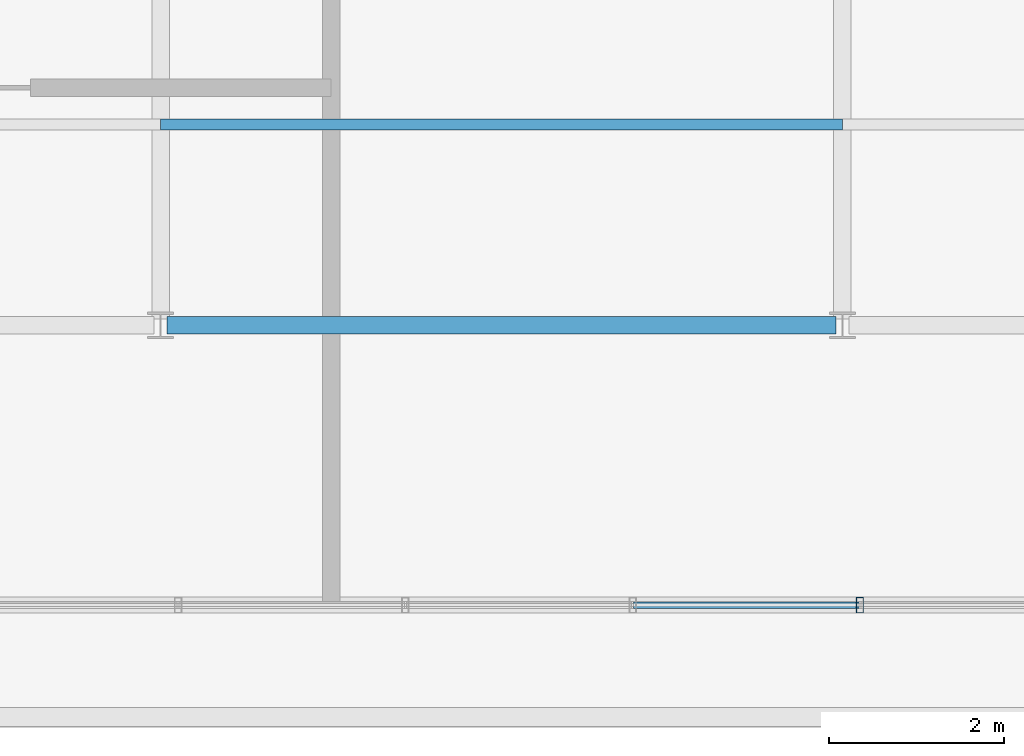
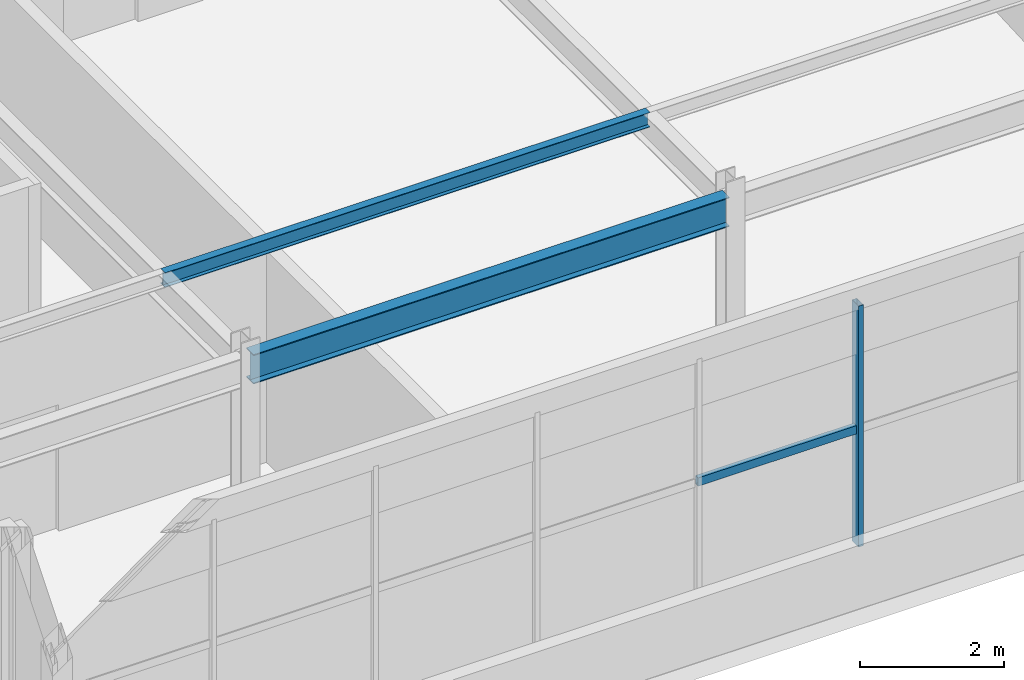
# One storey, part 4 of 37: 3 members, 1 beam, 1 element without a shape of its own.
"""IFC4 building model written with IfcOpenShell, lengths in metres."""

import ifcopenshell
import ifcopenshell.guid

model = None  # the IFC model being written
_history = None  # IfcOwnerHistory: only IFC2X3 demands one
_inside = {}  # id of a spatial element -> (the spatial element, [elements in it])
_under = {}  # id of a project, library or spatial element -> (it, [spatial elements below it])
_declared = {}  # id of a project -> (the project, [libraries it declares])
_typed = {}  # id of a type object -> (the type object, [elements of that type])
_made_of = {}  # id of a material, layer set ... -> (it, [elements and type objects made of it])


def new_model(schema):
    """Start an empty IFC model of exactly this schema.

    Asked for "IFC4X3", IfcOpenShell would pick the latest addendum, in which some entities
    have other attributes; the version numbers below select the first issue.
    IFC2X3 requires an IfcOwnerHistory on every rooted entity: one is made here for all.
    """
    global model, _history
    if schema == "IFC4X3":
        model = ifcopenshell.file(schema_version=(4, 3, 0, 0))
    else:
        model = ifcopenshell.file(schema=schema)
    _inside.clear()
    _under.clear()
    _declared.clear()
    _typed.clear()
    _made_of.clear()
    _history = None
    if model.schema == "IFC2X3":
        org = make("IfcOrganization", Name="unknown")
        user = make(
            "IfcPersonAndOrganization",
            ThePerson=make("IfcPerson", FamilyName="unknown"),
            TheOrganization=org,
        )
        app = make(
            "IfcApplication",
            ApplicationDeveloper=org,
            Version="unknown",
            ApplicationFullName="unknown",
            ApplicationIdentifier="unknown",
        )
        _history = make(
            "IfcOwnerHistory",
            OwningUser=user,
            OwningApplication=app,
            ChangeAction="ADDED",
            CreationDate=0,
        )
    return model


def make(cls, **values):
    """One entity of the class cls with the attributes given. An attribute that is None is left unset."""
    return model.create_entity(
        cls, **{name: value for name, value in values.items() if value is not None}
    )


def rooted(cls, **values):
    """An entity with a GlobalId (a new one), such as an element, a storey or a relation."""
    return make(cls, GlobalId=ifcopenshell.guid.new(), OwnerHistory=_history, **values)


def si_unit(unit_type, name, prefix=None):
    """IfcSIUnit, for example si_unit("LENGTHUNIT", "METRE", prefix="MILLI")."""
    return make("IfcSIUnit", UnitType=unit_type, Prefix=prefix, Name=name)


def assignment(units):
    """IfcUnitAssignment: the units of a project."""
    return None if units is None else make("IfcUnitAssignment", Units=units)


def point(xyz):
    """IfcCartesianPoint."""
    return None if xyz is None else make("IfcCartesianPoint", Coordinates=xyz)


def direction(xyz):
    """IfcDirection."""
    return None if xyz is None else make("IfcDirection", DirectionRatios=xyz)


def frame(location, z_axis=None, x_axis=None):
    """IfcAxis2Placement3D, a coordinate frame: its origin and axes. An axis left out is left unset."""
    return make(
        "IfcAxis2Placement3D",
        Location=point(location),
        Axis=direction(z_axis),
        RefDirection=direction(x_axis),
    )


def frame_2d(location, x_axis=None):
    """IfcAxis2Placement2D, a coordinate frame in the plane: its origin and x axis."""
    return make(
        "IfcAxis2Placement2D", Location=point(location), RefDirection=direction(x_axis)
    )


def origin():
    """The frame at (0, 0, 0) with its axes left unset."""
    return frame((0.0, 0.0, 0.0))


def origin_2d():
    """The frame at (0, 0) in the plane with its x axis left unset."""
    return frame_2d((0.0, 0.0))


def place(relative_to, where):
    """IfcLocalPlacement: puts the frame where relative to a parent placement (None: the world)."""
    return make(
        "IfcLocalPlacement", PlacementRelTo=relative_to, RelativePlacement=where
    )


def context(
    kind, dimensions, precision=None, world=None, true_north=None, identifier=None
):
    """IfcGeometricRepresentationContext, for example the 3D "Model" context."""
    return make(
        "IfcGeometricRepresentationContext",
        ContextIdentifier=identifier,
        ContextType=kind,
        CoordinateSpaceDimension=dimensions,
        Precision=precision,
        WorldCoordinateSystem=world,
        TrueNorth=true_north,
    )


def subcontext(parent, identifier, kind, view, scale=None):
    """IfcGeometricRepresentationSubContext, for example "Body" below "Model"."""
    return make(
        "IfcGeometricRepresentationSubContext",
        ContextIdentifier=identifier,
        ContextType=kind,
        ParentContext=parent,
        TargetScale=scale,
        TargetView=view,
    )


def project(units=None, contexts=None):
    """IfcProject with its units and contexts."""
    return rooted(
        "IfcProject",
        Name="project",
        RepresentationContexts=contexts,
        UnitsInContext=assignment(units),
    )


def spatial(cls, under=None, at=None, **own):
    """A site, building, storey or space (cls), placed at a placement, below another one or the project."""
    s = rooted(cls, ObjectPlacement=at, **own)
    if under is not None:
        _under.setdefault(under.id(), (under, []))[1].append(s)
    return s


def profile(cls, at=None, kind="AREA", **sizes):
    """A parametric profile (cls). Its sizes go by their IFC names, for example OverallWidth=200.0."""
    return make(cls, ProfileType=kind, Position=at, **sizes)


def hollow_rectangle(**sizes):
    """IfcRectangleHollowProfileDef."""
    return profile("IfcRectangleHollowProfileDef", **sizes)


def i_section(**sizes):
    """IfcIShapeProfileDef."""
    return profile("IfcIShapeProfileDef", **sizes)


def extrude(swept, where, along, depth):
    """IfcExtrudedAreaSolid: the profile swept, set in the frame where, extruded along a direction by depth."""
    return make(
        "IfcExtrudedAreaSolid",
        SweptArea=swept,
        Position=where,
        ExtrudedDirection=direction(along),
        Depth=depth,
    )


def shape(context_of_items, identifier, shape_type, items):
    """IfcShapeRepresentation: the items that make up one representation, for example the "Body"."""
    return make(
        "IfcShapeRepresentation",
        ContextOfItems=context_of_items,
        RepresentationIdentifier=identifier,
        RepresentationType=shape_type,
        Items=items,
    )


def source(mapping_origin, context_of_items, identifier, shape_type, items):
    """IfcRepresentationMap: a shape defined once, which mapped items show again and again."""
    return make(
        "IfcRepresentationMap",
        MappingOrigin=mapping_origin,
        MappedRepresentation=shape(context_of_items, identifier, shape_type, items),
    )


def transform(
    local_origin,
    x_axis=None,
    y_axis=None,
    z_axis=None,
    scale=None,
    scale2=None,
    scale3=None,
    uniform=True,
):
    """IfcCartesianTransformationOperator3D, or its non-uniform kind. x_axis, y_axis, z_axis: its Axis1, 2, 3."""
    if uniform:
        return make(
            "IfcCartesianTransformationOperator3D",
            Axis1=direction(x_axis),
            Axis2=direction(y_axis),
            LocalOrigin=point(local_origin),
            Scale=scale,
            Axis3=direction(z_axis),
        )
    return make(
        "IfcCartesianTransformationOperator3DnonUniform",
        Axis1=direction(x_axis),
        Axis2=direction(y_axis),
        LocalOrigin=point(local_origin),
        Scale=scale,
        Axis3=direction(z_axis),
        Scale2=scale2,
        Scale3=scale3,
    )


def mapped(mapping_source, mapping_target):
    """IfcMappedItem: shows the shape of a source again, moved by a transform."""
    return make(
        "IfcMappedItem", MappingSource=mapping_source, MappingTarget=mapping_target
    )


def material(Name=None, Category=None):
    """IfcMaterial."""
    return make("IfcMaterial", Name=Name, Category=Category)


def material_profile(
    of_material, cross_section, Name=None, Category=None, Priority=None
):
    """IfcMaterialProfile: a cross section and its material."""
    return make(
        "IfcMaterialProfile",
        Name=Name,
        Material=of_material,
        Profile=cross_section,
        Priority=Priority,
        Category=Category,
    )


def profile_set(profiles, Name=None, composite=None):
    """IfcMaterialProfileSet."""
    return make(
        "IfcMaterialProfileSet",
        Name=Name,
        MaterialProfiles=profiles,
        CompositeProfile=composite,
    )


def made_of(thing, what):
    """Note that an element or type object is made of a material, layer set ...; save() writes the relation."""
    if what is not None:
        _made_of.setdefault(what.id(), (what, []))[1].append(thing)
    return thing


def type_object(cls, material=None, **own):
    """A type object (cls), such as IfcWallType, which elements share."""
    return made_of(rooted(cls, **own), material)


def element(
    cls,
    number,
    at=None,
    inside=None,
    cuts=None,
    type_object=None,
    material=None,
    context=None,
    identifier="Body",
    shape_type=None,
    held_by="IfcProductDefinitionShape",
    body=None,
    shapes=None,
    **own,
):
    """One element of the class cls, such as IfcWall. Its Tag is "e" and its number.

    at: its placement. inside: the storey or other place that contains it. cuts: it is an
    opening in that element (IfcRelVoidsElement). A single representation is given by context,
    identifier, shape_type and body (its items); several are given by shapes. held_by: the class
    of the entity that holds the representations. save() writes the other relations.
    """
    e = rooted(cls, Tag="e%d" % number, ObjectPlacement=at, **own)
    if body is not None:
        shapes = [shape(context, identifier, shape_type, body)]
    if shapes is not None:
        e.Representation = make(held_by, Representations=shapes)
    if inside is not None:
        _inside.setdefault(inside.id(), (inside, []))[1].append(e)
    if cuts is not None:
        rooted(
            "IfcRelVoidsElement", RelatingBuildingElement=cuts, RelatedOpeningElement=e
        )
    if type_object is not None:
        _typed.setdefault(type_object.id(), (type_object, []))[1].append(e)
    return made_of(e, material)


def aggregate(whole, parts):
    """IfcRelAggregates: a whole, such as a stair, and the parts it consists of."""
    return rooted("IfcRelAggregates", RelatingObject=whole, RelatedObjects=parts)


def save(model, path):
    """Write the relations noted so far, then the file.

    IfcRelAggregates (storeys below a building ...), IfcRelContainedInSpatialStructure (elements
    in a storey), IfcRelDefinesByType, IfcRelAssociatesMaterial and IfcRelDeclares: one each for
    every whole, place, type object, material and project.
    """
    for whole, parts in _under.values():
        aggregate(whole, parts)
    for where, things in _inside.values():
        rooted(
            "IfcRelContainedInSpatialStructure",
            RelatedElements=things,
            RelatingStructure=where,
        )
    for kind, things in _typed.values():
        rooted("IfcRelDefinesByType", RelatedObjects=things, RelatingType=kind)
    for what, things in _made_of.values():
        rooted("IfcRelAssociatesMaterial", RelatedObjects=things, RelatingMaterial=what)
    for by, libraries in _declared.values():
        rooted("IfcRelDeclares", RelatingContext=by, RelatedDefinitions=libraries)
    model.write(path)


model = new_model("IFC4")

# Units and contexts
model_context = context("Model", 3, precision=1e-05, world=origin(), true_north=direction((0.0, 1.0)))
body_context = subcontext(model_context, "Body", "Model", "MODEL_VIEW")
ifc_project = project(units=[si_unit("LENGTHUNIT", "METRE"), si_unit("AREAUNIT", "SQUARE_METRE"), si_unit("VOLUMEUNIT", "CUBIC_METRE"), si_unit("PLANEANGLEUNIT", "RADIAN"), si_unit("MASSUNIT", "GRAM", prefix="KILO")], contexts=[model_context])

# Site, building, storey
site_placement = place(None, origin())
site = spatial("IfcSite", under=ifc_project, at=site_placement, CompositionType="ELEMENT")
building_placement = place(site_placement, origin())
building = spatial("IfcBuilding", under=site, at=building_placement, Name="Trelvane Seafront Commons", CompositionType="ELEMENT")
storey_placement = place(building_placement, frame((0.0, 0.0, 303.5)))
storey = spatial("IfcBuildingStorey", under=building, at=storey_placement, Name="L79", CompositionType="ELEMENT", Elevation=303.5)

# Beam
ifc_material_1 = material(Name="Steel SM355 (S355)", Category="steel")
ifc_material_profile_1 = material_profile(ifc_material_1, i_section(OverallWidth=0.199951171875, OverallDepth=0.5, WebThickness=0.010009765625, FlangeThickness=0.01611328125, at=origin_2d()), Name="H-500x200x10x16")
ifc_profile_set_1 = profile_set([ifc_material_profile_1], Name="Steel SM355 (S355)")
beam_type = type_object("IfcBeamType", Name="STR-CROWN-FRAME-RING", PredefinedType="SPANDREL", material=ifc_profile_set_1)
shared_shape_1 = source(origin(), body_context, "Body", "SweptSolid", [
    extrude(i_section(OverallWidth=0.199951171875, OverallDepth=0.5, WebThickness=0.010009765625, FlangeThickness=0.01611328125, at=origin_2d()), origin(), (0.0, 0.0, 1.0), 7.64990234375),
])
beam_placement = place(storey_placement, frame((15.675048828125, 18.199951171875, 3.85009765625), z_axis=(1.0, 0.0, 0.0), x_axis=(0.0, 1.0, 0.0)))
element("IfcBeam", 1, at=beam_placement, inside=storey, type_object=beam_type, Name="L79 CROWN FRAME Ring Beam G-02", PredefinedType="SPANDREL", context=body_context, shape_type="MappedRepresentation", body=[
    mapped(shared_shape_1, transform((0.0, 0.0, 0.0), x_axis=(1.0, 0.0, 0.0), y_axis=(0.0, 1.0, 0.0), z_axis=(0.0, 0.0, 1.0), scale=1.0)),
])

# Member
ifc_material_profile_2 = material_profile(ifc_material_1, i_section(OverallWidth=0.125, OverallDepth=0.25, WebThickness=0.006103515625, FlangeThickness=0.009033203125, at=origin_2d()), Name="H-250x125x6x9")
ifc_profile_set_2 = profile_set([ifc_material_profile_2], Name="Steel SM355 (S355)")
member_type_1 = type_object("IfcMemberType", Name="STR-PUR-H250", PredefinedType="PURLIN", material=ifc_profile_set_2)
shared_shape_2 = source(origin(), body_context, "Body", "SweptSolid", [
    extrude(i_section(OverallWidth=0.125, OverallDepth=0.25, WebThickness=0.006103515625, FlangeThickness=0.009033203125, at=origin_2d()), origin(), (0.0, 0.0, 1.0), 7.7998046875),
])
member_1_placement = place(storey_placement, frame((15.60009765625, 20.5, 3.97509765625), z_axis=(1.0, 0.0, 0.0), x_axis=(0.0, 1.0, 0.0)))
element("IfcMember", 2, at=member_1_placement, inside=storey, type_object=member_type_1, Name="L79 Crown Roof Purlin PR-1", PredefinedType="PURLIN", context=body_context, shape_type="MappedRepresentation", body=[
    mapped(shared_shape_2, transform((0.0, 0.0, 0.0), x_axis=(1.0, 0.0, 0.0), y_axis=(0.0, 1.0, 0.0), z_axis=(0.0, 0.0, 1.0), scale=1.0)),
])

# Curtain wall, members
ifc_material_2 = material(Name="Anodised pale-silver aluminium", Category="aluminium")
curtain_wall_type = type_object("IfcCurtainWallType", Name="ARCH-CW6-CROWN", PredefinedType="NOTDEFINED", material=ifc_material_2)
curtain_wall_placement = place(storey_placement, origin())
curtain_wall = element("IfcCurtainWall", 3, at=curtain_wall_placement, inside=storey, type_object=curtain_wall_type, Name="CW-L79-0135", PredefinedType="NOTDEFINED")
ifc_material_profile_3 = material_profile(ifc_material_2, hollow_rectangle(XDim=0.080078125, YDim=0.179931640625, WallThickness=0.00439453125, at=origin_2d()), Name="MULL-80x180x4.5")
ifc_profile_set_3 = profile_set([ifc_material_profile_3], Name="Anodised pale-silver aluminium")
member_type_2 = type_object("IfcMemberType", Name="ARCH-CW-MULL-180", PredefinedType="MULLION", material=ifc_profile_set_3)
shared_shape_3 = source(origin(), body_context, "Body", "SweptSolid", [
    extrude(hollow_rectangle(XDim=0.080078125, YDim=0.179931640625, WallThickness=0.00439453125, at=origin_2d()), origin(), (0.0, 0.0, 1.0), 4.10009765625),
])
member_2_placement = place(storey_placement, frame((23.60009765625, 15.0, 0.0), z_axis=(0.0, 0.0, 1.0), x_axis=(1.0, 0.0, 0.0)))
member_2 = element("IfcMember", 4, at=member_2_placement, type_object=member_type_2, Name="CW-L79-0135-M03", PredefinedType="MULLION", context=body_context, shape_type="MappedRepresentation", body=[
    mapped(shared_shape_3, transform((0.0, 0.0, 0.0), x_axis=(1.0, 0.0, 0.0), y_axis=(0.0, 1.0, 0.0), z_axis=(0.0, 0.0, 1.0), scale=1.0)),
])
ifc_material_profile_4 = material_profile(ifc_material_2, hollow_rectangle(XDim=0.074951171875, YDim=0.139892578125, WallThickness=0.00390625, at=origin_2d()), Name="TRAN-75x140x4")
ifc_profile_set_4 = profile_set([ifc_material_profile_4], Name="Anodised pale-silver aluminium")
member_type_3 = type_object("IfcMemberType", Name="ARCH-CW-TRAN-140", PredefinedType="USERDEFINED", material=ifc_profile_set_4)
shared_shape_4 = source(origin(), body_context, "Body", "SweptSolid", [
    extrude(hollow_rectangle(XDim=0.074951171875, YDim=0.139892578125, WallThickness=0.00390625, at=origin_2d()), origin(), (0.0, 0.0, 1.0), 2.575927734375),
])
member_3_placement = place(storey_placement, frame((23.587890625, 15.0, 1.968017578125), z_axis=(-1.0, 0.0, 0.0), x_axis=(0.0, -1.0, 0.0)))
member_3 = element("IfcMember", 5, at=member_3_placement, type_object=member_type_3, Name="CW-L79-0135-T03", ObjectType="TRANSOM", PredefinedType="USERDEFINED", context=body_context, shape_type="MappedRepresentation", body=[
    mapped(shared_shape_4, transform((0.0, 0.0, 0.0), x_axis=(1.0, 0.0, 0.0), y_axis=(0.0, 1.0, 0.0), z_axis=(0.0, 0.0, 1.0), scale=1.0)),
])
aggregate(curtain_wall, [member_2, member_3])

save(model, "model.ifc")
